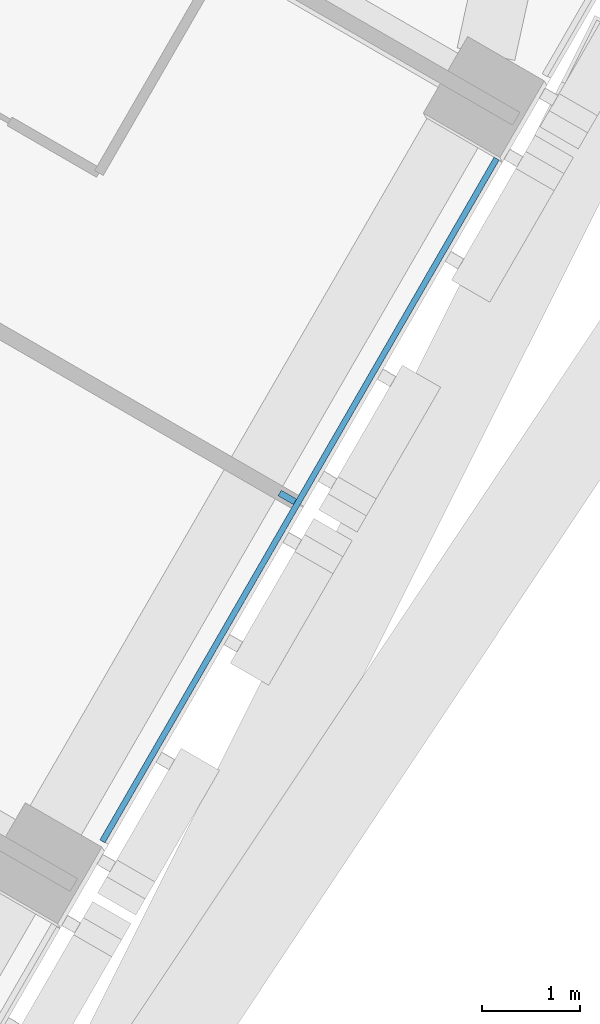
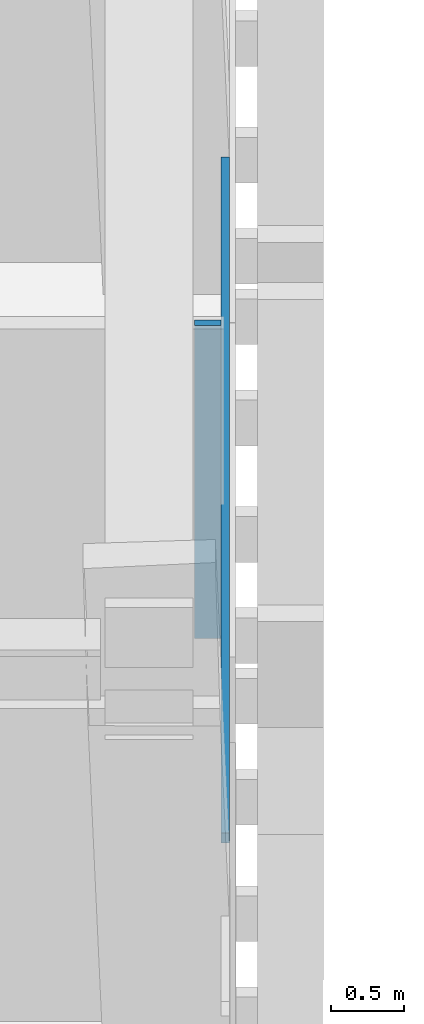
# One storey, part 11 of 24: 2 members, 1 element without a shape of its own.
"""IFC4 building model written with IfcOpenShell, lengths in metres."""

from ifc_helpers import new_model, si_unit, direction, frame, origin, origin_2d, place, context, subcontext, project, spatial, rectangle, extrude, material, layer, layer_set, material_profile, profile_set, type_object, element, aggregate, save


model = new_model("IFC4")

# Units and contexts
model_context = context("Model", 3, precision=1e-05, world=origin(), true_north=direction((0.0, 1.0)))
body_context = subcontext(model_context, "Body", "Model", "MODEL_VIEW")
ifc_project = project(units=[si_unit("LENGTHUNIT", "METRE"), si_unit("AREAUNIT", "SQUARE_METRE"), si_unit("VOLUMEUNIT", "CUBIC_METRE"), si_unit("PLANEANGLEUNIT", "RADIAN"), si_unit("MASSUNIT", "GRAM", prefix="KILO")], contexts=[model_context])

# Site, building, storey
site_placement = place(None, origin())
site = spatial("IfcSite", under=ifc_project, at=site_placement, CompositionType="ELEMENT")
building_placement = place(site_placement, origin())
building = spatial("IfcBuilding", under=site, at=building_placement, Name="Altiplano Prism Tower", CompositionType="ELEMENT")
storey_placement = place(building_placement, frame((0.0, 0.0, 27.0)))
storey = spatial("IfcBuildingStorey", under=building, at=storey_placement, Name="L05", CompositionType="ELEMENT", Elevation=27.0)

# Curtain wall, members
ifc_material_1 = material(Name="Aluminium and glass", Category="aluminium")
ifc_layer = layer(ifc_material_1, 0.280029296875)
ifc_layer_set = layer_set([ifc_layer], Name="Aluminium and glass")
curtain_wall_type = type_object("IfcCurtainWallType", Name="CW1 typical co-living unitised curtain wall", PredefinedType="NOTDEFINED", material=ifc_layer_set)
curtain_wall_placement = place(storey_placement, origin())
curtain_wall = element("IfcCurtainWall", 1, at=curtain_wall_placement, inside=storey, type_object=curtain_wall_type, Name="CW1 curtain wall south-east face L05", PredefinedType="NOTDEFINED")
ifc_material_2 = material(Name="Aluminium", Category="aluminium")
ifc_material_profile_1 = material_profile(ifc_material_2, rectangle(XDim=0.179931640625, YDim=0.06494140625, at=origin_2d()), Name="CW1 mullion 65 x 180")
ifc_profile_set_1 = profile_set([ifc_material_profile_1], Name="Aluminium")
member_type_1 = type_object("IfcMemberType", Name="CW1 mullion 65 x 180", PredefinedType="MULLION", material=ifc_profile_set_1)
member_1_placement = place(storey_placement, frame((107.52197265625, 81.38916015625, 0.0), z_axis=(0.0, 0.0, 1.0), x_axis=(-0.866025403802, 0.49999999997, 0.0)))
member_1 = element("IfcMember", 2, at=member_1_placement, type_object=member_type_1, Name="CW1 mullion", PredefinedType="MULLION", context=body_context, shape_type="SweptSolid", body=[
    extrude(rectangle(XDim=0.179931640625, YDim=0.06494140625, at=origin_2d()), origin(), (0.0, 0.0, 1.0), 2.60009765625),
])
ifc_material_profile_2 = material_profile(ifc_material_2, rectangle(XDim=0.06005859375, YDim=0.080078125, at=origin_2d()), Name="CW1 transom 80 x 60")
ifc_profile_set_2 = profile_set([ifc_material_profile_2], Name="Aluminium")
member_type_2 = type_object("IfcMemberType", Name="CW1 transom 80 x 60", PredefinedType="USERDEFINED", material=ifc_profile_set_2)
member_2_placement = place(storey_placement, frame((105.640625, 77.890625, 1.10009765625), z_axis=(0.500012318566, 0.86601829154, 0.0), x_axis=(-0.86601829154, 0.500012318566, 0.0)))
member_2 = element("IfcMember", 3, at=member_2_placement, type_object=member_type_2, Name="CW1 transom", ObjectType="TRANSOM", PredefinedType="USERDEFINED", context=body_context, shape_type="SweptSolid", body=[
    extrude(rectangle(XDim=0.06005859375, YDim=0.080078125, at=origin_2d()), origin(), (0.0, 0.0, 1.0), 8.019775390625),
])
aggregate(curtain_wall, [member_1, member_2])

save(model, "model.ifc")
